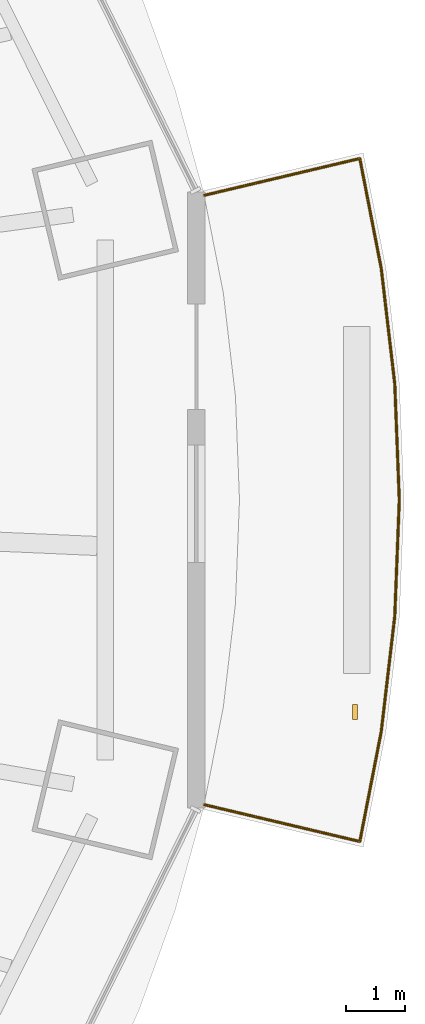
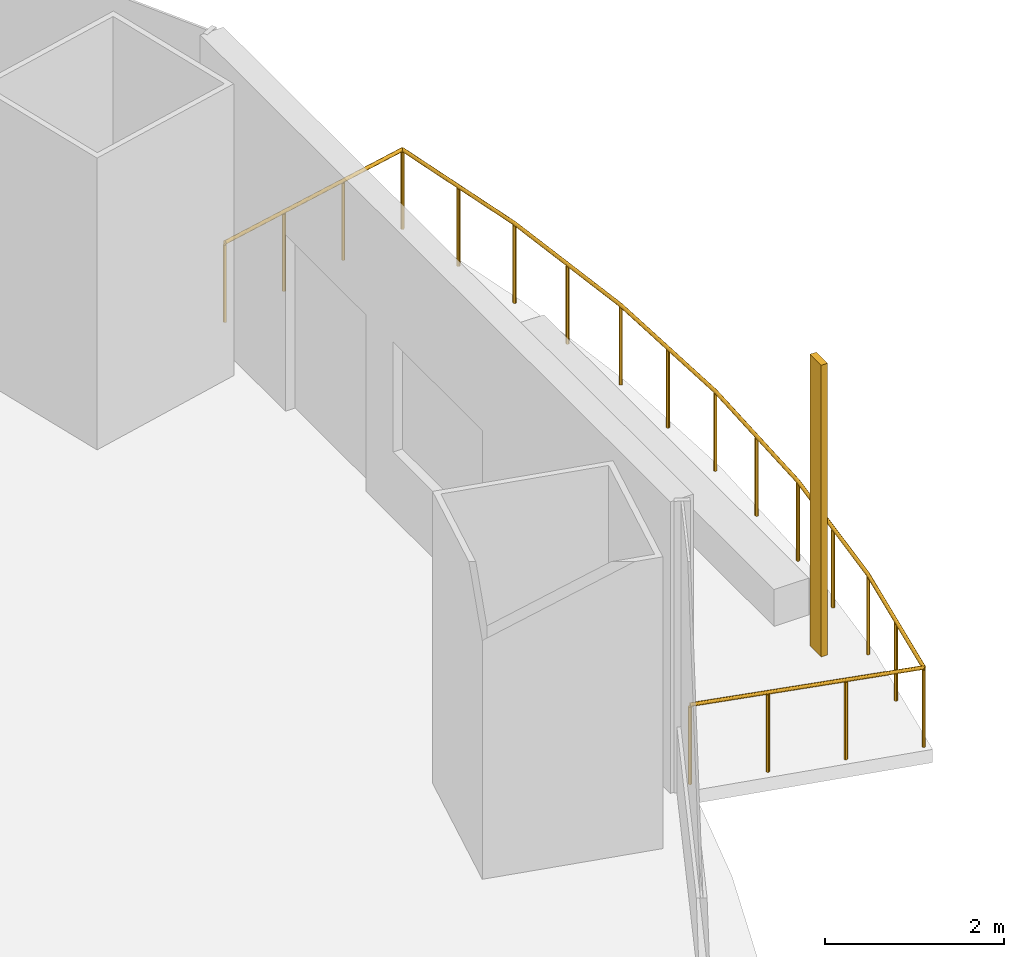
# One storey, part 19 of 20: 1 railing, 1 shading device.
"""IFC4 building model written with IfcOpenShell, lengths in metres."""

from ifc_helpers import new_model, si_unit, direction, frame, origin, origin_2d, place, context, subcontext, project, spatial, rectangle, circle, extrude, material, material_profile, profile_set, type_object, element, save


model = new_model("IFC4")

# Units and contexts
model_context = context("Model", 3, precision=1e-05, world=origin(), true_north=direction((0.0, 1.0)))
body_context = subcontext(model_context, "Body", "Model", "MODEL_VIEW")
ifc_project = project(units=[si_unit("LENGTHUNIT", "METRE"), si_unit("AREAUNIT", "SQUARE_METRE"), si_unit("VOLUMEUNIT", "CUBIC_METRE"), si_unit("PLANEANGLEUNIT", "RADIAN"), si_unit("MASSUNIT", "GRAM", prefix="KILO")], contexts=[model_context])

# Site, building, storey
site_placement = place(None, origin())
site = spatial("IfcSite", under=ifc_project, at=site_placement, CompositionType="ELEMENT")
building_placement = place(site_placement, origin())
building = spatial("IfcBuilding", under=site, at=building_placement, Name="Marenthal Gate Tower", CompositionType="ELEMENT")
storey_placement = place(building_placement, frame((0.0, 0.0, 190.10009765625)))
storey = spatial("IfcBuildingStorey", under=building, at=storey_placement, Name="L41", CompositionType="ELEMENT", Elevation=190.10009765625)

# Railing
ifc_material_1 = material(Name="Stainless steel", Category="steel")
railing_type = type_object("IfcRailingType", Name="Balcony guard 1100", PredefinedType="GUARDRAIL", material=ifc_material_1)
railing_placement = place(storey_placement, frame((33.3359375, 4.5859375, 0.0)))
element("IfcRailing", 1, at=railing_placement, inside=storey, type_object=railing_type, Name="Balcony guard L41 bay 16", PredefinedType="GUARDRAIL", context=body_context, shape_type="SweptSolid", body=[
    extrude(circle(Radius=0.02392578125, at=origin_2d()), frame((0.0, 0.0, 1.076171875), z_axis=(0.973011948097, 0.230284879064, -0.014718129449), x_axis=(-0.230309825657, 0.973117353769, 0.0)), (0.0, 0.0, 1.0), 2.720458984375),
    extrude(circle(Radius=0.02392578125, at=origin_2d()), frame((2.64697265625, 0.62646484375, 1.0361328125), z_axis=(0.19133270439, -0.981525239732, 0.0), x_axis=(0.981525239732, 0.19133270439, 0.0)), (0.0, 0.0, 1.0), 1.905029296875),
    extrude(circle(Radius=0.02392578125, at=origin_2d()), frame((3.011474609375, -1.243408203125, 1.0361328125), z_axis=(0.116397683108, -0.993202687958, 0.0), x_axis=(0.993202687958, 0.116397683108, 0.0)), (0.0, 0.0, 1.0), 1.97998046875),
    extrude(circle(Radius=0.02392578125, at=origin_2d()), frame((3.241943359375, -3.2099609375, 1.0361328125), z_axis=(0.039011545359, -0.999238759921, 0.0), x_axis=(0.999238759921, 0.039011545359, 0.0)), (0.0, 0.0, 1.0), 1.9775390625),
    extrude(circle(Radius=0.02392578125, at=origin_2d()), frame((3.319091796875, -5.18603515625, 1.0361328125), z_axis=(-0.039011545359, -0.999238759921, 0.0), x_axis=(0.999238759921, -0.039011545359, 0.0)), (0.0, 0.0, 1.0), 1.9775390625),
    extrude(circle(Radius=0.02392578125, at=origin_2d()), frame((3.241943359375, -7.162109375, 1.0361328125), z_axis=(-0.116397683108, -0.993202687958, 0.0), x_axis=(0.993202687958, -0.116397683108, 0.0)), (0.0, 0.0, 1.0), 1.97998046875),
    extrude(circle(Radius=0.02392578125, at=origin_2d()), frame((3.011474609375, -9.128662109375, 1.0361328125), z_axis=(-0.191356774256, -0.981520547389, 0.0), x_axis=(0.981520547389, -0.191356774256, 0.0)), (0.0, 0.0, 1.0), 1.90478515625),
    extrude(circle(Radius=0.02392578125, at=origin_2d()), frame((2.64697265625, -10.998291015625, 1.0361328125), z_axis=(-0.973011948097, 0.230284879064, 0.014718129449), x_axis=(-0.230309825657, -0.973117353769, 0.0)), (0.0, 0.0, 1.0), 2.720458984375),
    extrude(circle(Radius=0.02099609375, at=origin_2d()), origin(), (0.0, 0.0, 1.0), 1.052001953125),
    extrude(circle(Radius=0.02099609375, at=origin_2d()), frame((0.88232421875, 0.208740234375, -0.013427734375)), (0.0, 0.0, 1.0), 1.052001953125),
    extrude(circle(Radius=0.02099609375, at=origin_2d()), frame((1.7646484375, 0.417724609375, -0.026611328125)), (0.0, 0.0, 1.0), 1.052001953125),
    extrude(circle(Radius=0.02099609375, at=origin_2d()), frame((2.64697265625, 0.62646484375, -0.0400390625)), (0.0, 0.0, 1.0), 1.052001953125),
    extrude(circle(Radius=0.02099609375, at=origin_2d()), frame((2.8291015625, -0.30859375, -0.0400390625)), (0.0, 0.0, 1.0), 1.052001953125),
    extrude(circle(Radius=0.02099609375, at=origin_2d()), frame((3.011474609375, -1.243408203125, -0.0400390625)), (0.0, 0.0, 1.0), 1.052001953125),
    extrude(circle(Radius=0.02099609375, at=origin_2d()), frame((3.126708984375, -2.2265625, -0.0400390625)), (0.0, 0.0, 1.0), 1.052001953125),
    extrude(circle(Radius=0.02099609375, at=origin_2d()), frame((3.241943359375, -3.2099609375, -0.0400390625)), (0.0, 0.0, 1.0), 1.052001953125),
    extrude(circle(Radius=0.02099609375, at=origin_2d()), frame((3.280517578125, -4.197998046875, -0.0400390625)), (0.0, 0.0, 1.0), 1.052001953125),
    extrude(circle(Radius=0.02099609375, at=origin_2d()), frame((3.319091796875, -5.18603515625, -0.0400390625)), (0.0, 0.0, 1.0), 1.052001953125),
    extrude(circle(Radius=0.02099609375, at=origin_2d()), frame((3.280517578125, -6.174072265625, -0.0400390625)), (0.0, 0.0, 1.0), 1.052001953125),
    extrude(circle(Radius=0.02099609375, at=origin_2d()), frame((3.241943359375, -7.162109375, -0.0400390625)), (0.0, 0.0, 1.0), 1.052001953125),
    extrude(circle(Radius=0.02099609375, at=origin_2d()), frame((3.126708984375, -8.1455078125, -0.0400390625)), (0.0, 0.0, 1.0), 1.052001953125),
    extrude(circle(Radius=0.02099609375, at=origin_2d()), frame((3.011474609375, -9.128662109375, -0.0400390625)), (0.0, 0.0, 1.0), 1.052001953125),
    extrude(circle(Radius=0.02099609375, at=origin_2d()), frame((2.8291015625, -10.0634765625, -0.0400390625)), (0.0, 0.0, 1.0), 1.052001953125),
    extrude(circle(Radius=0.02099609375, at=origin_2d()), frame((2.64697265625, -10.998291015625, -0.0400390625)), (0.0, 0.0, 1.0), 1.052001953125),
    extrude(circle(Radius=0.02099609375, at=origin_2d()), frame((1.7646484375, -10.78955078125, -0.026611328125)), (0.0, 0.0, 1.0), 1.052001953125),
    extrude(circle(Radius=0.02099609375, at=origin_2d()), frame((0.88232421875, -10.58056640625, -0.013427734375)), (0.0, 0.0, 1.0), 1.052001953125),
    extrude(circle(Radius=0.02099609375, at=origin_2d()), frame((0.0, -10.371826171875, 0.0)), (0.0, 0.0, 1.0), 1.052001953125),
])

# Shading device
ifc_material_2 = material(Name="Terracotta", Category="masonry")
ifc_material_profile = material_profile(ifc_material_2, rectangle(XDim=0.25, YDim=0.080078125, at=origin_2d()), Name="Terracotta baguette 250x80")
ifc_profile_set = profile_set([ifc_material_profile], Name="Terracotta")
shading_device_type = type_object("IfcShadingDeviceType", Name="Terracotta BAGUETTE SCREEN 250x80", PredefinedType="USERDEFINED", material=ifc_profile_set)
shading_device_placement = place(storey_placement, frame((35.902099609375, -4.209228515625, -0.0400390625), z_axis=(0.0, 0.0, 1.0), x_axis=(0.0, 1.0, 0.0)))
element("IfcShadingDevice", 2, at=shading_device_placement, inside=storey, type_object=shading_device_type, Name="Terracotta BAGUETTE L41 bay 16L", ObjectType="BAGUETTE SCREEN", PredefinedType="USERDEFINED", context=body_context, shape_type="SweptSolid", body=[
    extrude(rectangle(XDim=0.25, YDim=0.080078125, at=origin_2d()), origin(), (0.0, 0.0, 1.0), 3.969970703125),
])

save(model, "model.ifc")
